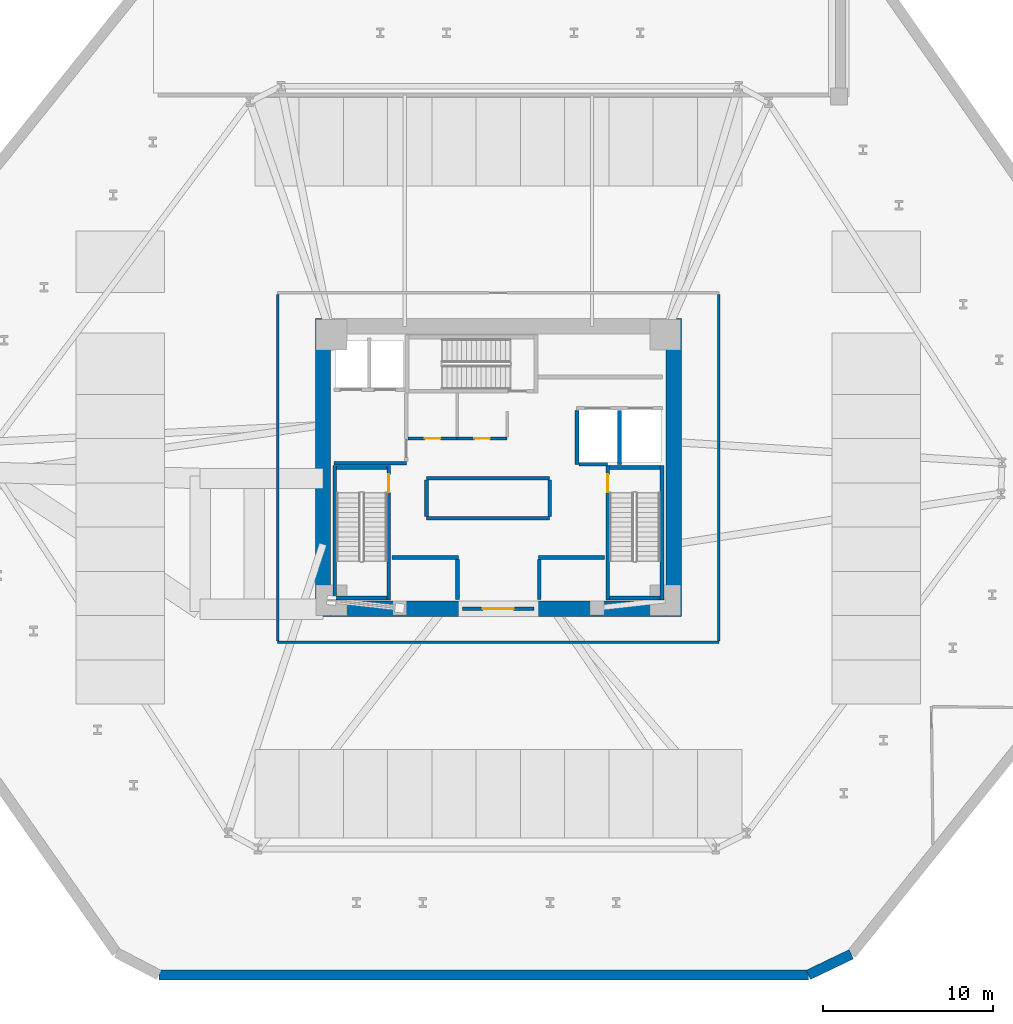
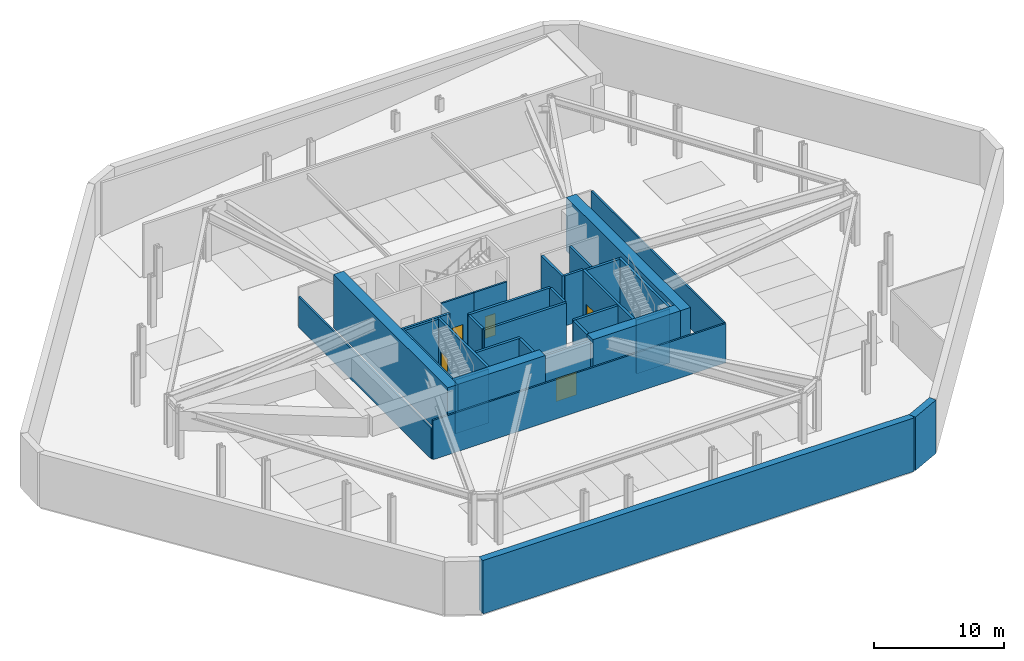
# One storey, part 4 of 8: 32 walls, 5 doors, 5 openings.
"""IFC4 building model written with IfcOpenShell, lengths in metres."""

from ifc_helpers import new_model, si_unit, direction, frame, frame_2d, origin, place, context, subcontext, project, spatial, rectangle, extrude, source, transform, mapped, material, layer, layer_set, type_object, type_shapes, element, fill, save


model = new_model("IFC4")

# Units and contexts
model_context = context("Model", 3, precision=1e-05, world=origin(), true_north=direction((0.0, 1.0)))
body_context = subcontext(model_context, "Body", "Model", "MODEL_VIEW")
ifc_project = project(units=[si_unit("LENGTHUNIT", "METRE"), si_unit("AREAUNIT", "SQUARE_METRE"), si_unit("VOLUMEUNIT", "CUBIC_METRE"), si_unit("PLANEANGLEUNIT", "RADIAN"), si_unit("MASSUNIT", "GRAM", prefix="KILO")], contexts=[model_context])

# Site, building, storey
site_placement = place(None, origin())
site = spatial("IfcSite", under=ifc_project, at=site_placement, CompositionType="ELEMENT")
building_placement = place(site_placement, origin())
building = spatial("IfcBuilding", under=site, at=building_placement, Name="Durnholm Broadcast Tower", CompositionType="ELEMENT")
storey_placement = place(building_placement, frame((0.0, 0.0, -5.0)))
storey = spatial("IfcBuildingStorey", under=building, at=storey_placement, Name="B01", CompositionType="ELEMENT", Elevation=-5.0)

# Walls
ifc_material_1 = material(Name="Concrete C70/85", Category="concrete")
ifc_layer_1 = layer(ifc_material_1, 0.89990234375)
ifc_layer_set_1 = layer_set([ifc_layer_1], Name="Concrete C70/85")
wall_type_1 = type_object("IfcWallType", Name="WALL-CW-900", PredefinedType="SHEAR", material=ifc_layer_set_1)
for number, where, z_axis, x_axis, name in (
    (1, (-10.300048828125, -8.75, 0.0), (0.0, 0.0, 1.0), (0.0, 1.0, 0.0), "B01 central core shear wall CW-WEST"),
    (2, (10.300048828125, -8.75, 0.0), (0.0, 0.0, 1.0), (0.0, 1.0, 0.0), "B01 central core shear wall CW-EAST"),
):
    element("IfcWall", number, at=place(storey_placement, frame(where, z_axis=z_axis, x_axis=x_axis)), inside=storey, type_object=wall_type_1, Name=name, PredefinedType="SHEAR", context=body_context, shape_type="SweptSolid", body=[
        extrude(rectangle(XDim=17.5, YDim=0.89990234375, at=frame_2d((8.75, 0.0))), origin(), (0.0, 0.0, 1.0), 5.0),
    ])
for number, where, z_axis, x_axis, name in (
    (3, (-9.85009765625, -8.300048828125, 0.0), (0.0, 0.0, 1.0), (1.0, 0.0, 0.0), "B01 central core shear wall CW-S1"),
    (4, (2.10009765625, -8.300048828125, 0.0), (0.0, 0.0, 1.0), (1.0, 0.0, 0.0), "B01 central core shear wall CW-S2"),
):
    element("IfcWall", number, at=place(storey_placement, frame(where, z_axis=z_axis, x_axis=x_axis)), inside=storey, type_object=wall_type_1, Name=name, PredefinedType="SHEAR", context=body_context, shape_type="SweptSolid", body=[
        extrude(rectangle(XDim=7.75, YDim=0.89990234375, at=frame_2d((3.875, 0.0))), origin(), (0.0, 0.0, 1.0), 5.0),
    ])

# Wall, opening, door
ifc_material_2 = material(Name="Fire-Rated Gypsum Shaftwall", Category="concrete")
ifc_layer_2 = layer(ifc_material_2, 0.199951171875)
ifc_layer_set_2 = layer_set([ifc_layer_2], Name="Fire-Rated Gypsum Shaftwall")
wall_type_2 = type_object("IfcWallType", Name="WALL-LOB-200", PredefinedType="SOLIDWALL", material=ifc_layer_set_2)
wall_1_placement = place(storey_placement, frame((-2.10009765625, -8.300048828125, 0.0), z_axis=(0.0, 0.0, 1.0), x_axis=(1.0, 0.0, 0.0)))
wall_1 = element("IfcWall", 5, at=wall_1_placement, inside=storey, type_object=wall_type_2, Name="B01 south core lobby fire screen", PredefinedType="SOLIDWALL", context=body_context, shape_type="SweptSolid", body=[
    extrude(rectangle(XDim=4.2001953125, YDim=0.199951171875, at=frame_2d((2.10009765625, 0.0))), origin(), (0.0, 0.0, 1.0), 4.68505859375),
])
opening_1_placement = place(wall_1_placement, frame((1.199951171875, 0.0, 0.0)))
opening_1 = element("IfcOpeningElement", 6, at=opening_1_placement, cuts=wall_1, Name="Opening DP-60", PredefinedType="OPENING", context=body_context, shape_type="SweptSolid", body=[
    extrude(rectangle(XDim=1.800048828125, YDim=2.14990234375, at=frame_2d((0.89990234375, 1.074951171875))), frame((0.0, 0.10986328125, 0.0), z_axis=(0.0, -1.0, 0.0), x_axis=(1.0, 0.0, 0.0)), (0.0, 0.0, 1.0), 0.219970703125),
])
ifc_material_3 = material(Name="Fire-Rated Double Corridor Door", Category="steel")
ifc_layer_3 = layer(ifc_material_3, 0.050048828125)
ifc_layer_set_3 = layer_set([ifc_layer_3], Name="Fire-Rated Double Corridor Door")
door_type_1 = type_object("IfcDoorType", Name="DOOR-PAIR-FD60", OperationType="DOUBLE_DOOR_SINGLE_SWING", PredefinedType="DOOR", material=ifc_layer_set_3)
shared_shape_1 = source(origin(), body_context, "Body", "SweptSolid", [
    extrude(rectangle(XDim=1.800048828125, YDim=2.14990234375, at=frame_2d((0.89990234375, 1.074951171875))), frame((0.0, 0.02490234375, 0.0), z_axis=(0.0, -1.0, 0.0), x_axis=(1.0, 0.0, 0.0)), (0.0, 0.0, 1.0), 0.050048828125),
])
type_shapes(door_type_1, [shared_shape_1])
door_1_placement = place(opening_1_placement, origin())
door_1 = element("IfcDoor", 7, at=door_1_placement, inside=storey, type_object=door_type_1, Name="B01 south core lobby double fire door", OperationType="DOUBLE_DOOR_SINGLE_SWING", OverallHeight=2.14990234375, OverallWidth=1.800048828125, PredefinedType="DOOR", context=body_context, shape_type="MappedRepresentation", body=[
    mapped(shared_shape_1, transform((0.0, 0.0, 0.0), x_axis=(1.0, 0.0, 0.0), y_axis=(0.0, 1.0, 0.0), z_axis=(0.0, 0.0, 1.0), scale=1.0)),
])
fill(opening_1, door_1)

# Wall
wall_2_placement = place(storey_placement, frame((-9.64990234375, 0.25, 0.0), z_axis=(0.0, 0.0, 1.0), x_axis=(1.0, 0.0, 0.0)))
element("IfcWall", 8, at=wall_2_placement, inside=storey, type_object=wall_type_2, Name="B01 Fire Service Access Elevator lobby south wall", PredefinedType="SOLIDWALL", context=body_context, shape_type="SweptSolid", body=[
    extrude(rectangle(XDim=4.27001953125, YDim=0.199951171875, at=frame_2d((2.135009765625, 0.0))), origin(), (0.0, 0.0, 1.0), 4.68505859375),
])

# Wall, opening, door
ifc_material_4 = material(Name="Acoustic Gypsum Stud Partition", Category="concrete")
ifc_layer_4 = layer(ifc_material_4, 0.14990234375)
ifc_layer_set_4 = layer_set([ifc_layer_4], Name="Acoustic Gypsum Stud Partition")
wall_type_3 = type_object("IfcWallType", Name="WALL-PART-150", PredefinedType="PARTITIONING", material=ifc_layer_set_4)
wall_3_placement = place(storey_placement, frame((-2.419921875, 1.7099609375, 0.0), z_axis=(0.0, 0.0, 1.0), x_axis=(-1.0, 0.0, 0.0)))
wall_3 = element("IfcWall", 9, at=wall_3_placement, inside=storey, type_object=wall_type_3, Name="B01 Core Equipment Store corridor partition", PredefinedType="PARTITIONING", context=body_context, shape_type="SweptSolid", body=[
    extrude(rectangle(XDim=2.8759765625, YDim=0.14990234375, at=frame_2d((1.43798828125, 0.0))), origin(), (0.0, 0.0, 1.0), 4.68505859375),
])
opening_2_placement = place(wall_3_placement, frame((0.988037109375, 0.0, 0.0)))
opening_2 = element("IfcOpeningElement", 10, at=opening_2_placement, cuts=wall_3, Name="Opening DC-60L", PredefinedType="OPENING", context=body_context, shape_type="SweptSolid", body=[
    extrude(rectangle(XDim=0.89990234375, YDim=2.050048828125, at=frame_2d((0.449951171875, 1.02490234375))), frame((0.0, 0.0849609375, 0.0), z_axis=(0.0, -1.0, 0.0), x_axis=(1.0, 0.0, 0.0)), (0.0, 0.0, 1.0), 0.169921875),
])
ifc_material_5 = material(Name="Fire-Rated Core Service Door", Category="steel")
ifc_layer_5 = layer(ifc_material_5, 0.050048828125)
ifc_layer_set_5 = layer_set([ifc_layer_5], Name="Fire-Rated Core Service Door")
door_type_2 = type_object("IfcDoorType", Name="DOOR-CORE-FD60-L", OperationType="NOTDEFINED", PredefinedType="DOOR", material=ifc_layer_set_5)
shared_shape_2 = source(origin(), body_context, "Body", "SweptSolid", [
    extrude(rectangle(XDim=0.89990234375, YDim=2.050048828125, at=frame_2d((0.449951171875, 1.02490234375))), frame((0.0, 0.02490234375, 0.0), z_axis=(0.0, -1.0, 0.0), x_axis=(1.0, 0.0, 0.0)), (0.0, 0.0, 1.0), 0.050048828125),
])
type_shapes(door_type_2, [shared_shape_2])
door_2_placement = place(opening_2_placement, origin())
door_2 = element("IfcDoor", 11, at=door_2_placement, inside=storey, type_object=door_type_2, Name="B01 Core Equipment Store entrance door", OperationType="SINGLE_SWING_LEFT", OverallHeight=2.050048828125, OverallWidth=0.89990234375, PredefinedType="DOOR", context=body_context, shape_type="MappedRepresentation", body=[
    mapped(shared_shape_2, transform((0.0, 0.0, 0.0), x_axis=(1.0, 0.0, 0.0), y_axis=(0.0, 1.0, 0.0), z_axis=(0.0, 0.0, 1.0), scale=1.0)),
])
fill(opening_2, door_2)

wall_4_placement = place(storey_placement, frame((0.52001953125, 1.7099609375, 0.0), z_axis=(0.0, 0.0, 1.0), x_axis=(-1.0, 0.0, 0.0)))
wall_4 = element("IfcWall", 12, at=wall_4_placement, inside=storey, type_object=wall_type_3, Name="B01 Core Mail and Supply Room corridor partition", PredefinedType="PARTITIONING", context=body_context, shape_type="SweptSolid", body=[
    extrude(rectangle(XDim=2.93994140625, YDim=0.14990234375, at=frame_2d((1.469970703125, 0.0))), origin(), (0.0, 0.0, 1.0), 4.68505859375),
])
opening_3_placement = place(wall_4_placement, frame((1.02001953125, 0.0, 0.0)))
opening_3 = element("IfcOpeningElement", 13, at=opening_3_placement, cuts=wall_4, Name="Opening DC-60R", PredefinedType="OPENING", context=body_context, shape_type="SweptSolid", body=[
    extrude(rectangle(XDim=0.89990234375, YDim=2.050048828125, at=frame_2d((0.449951171875, 1.02490234375))), frame((0.0, 0.0849609375, 0.0), z_axis=(0.0, -1.0, 0.0), x_axis=(1.0, 0.0, 0.0)), (0.0, 0.0, 1.0), 0.169921875),
])
ifc_layer_6 = layer(ifc_material_5, 0.050048828125)
ifc_layer_set_6 = layer_set([ifc_layer_6], Name="Fire-Rated Core Service Door")
door_type_3 = type_object("IfcDoorType", Name="DOOR-CORE-FD60-R", OperationType="NOTDEFINED", PredefinedType="DOOR", material=ifc_layer_set_6)
shared_shape_3 = source(origin(), body_context, "Body", "SweptSolid", [
    extrude(rectangle(XDim=0.89990234375, YDim=2.050048828125, at=frame_2d((0.449951171875, 1.02490234375))), frame((0.0, 0.02490234375, 0.0), z_axis=(0.0, -1.0, 0.0), x_axis=(1.0, 0.0, 0.0)), (0.0, 0.0, 1.0), 0.050048828125),
])
type_shapes(door_type_3, [shared_shape_3])
door_3_placement = place(opening_3_placement, origin())
door_3 = element("IfcDoor", 14, at=door_3_placement, inside=storey, type_object=door_type_3, Name="B01 Core Mail and Supply Room entrance door", OperationType="SINGLE_SWING_RIGHT", OverallHeight=2.050048828125, OverallWidth=0.89990234375, PredefinedType="DOOR", context=body_context, shape_type="MappedRepresentation", body=[
    mapped(shared_shape_3, transform((0.0, 0.0, 0.0), x_axis=(1.0, 0.0, 0.0), y_axis=(0.0, 1.0, 0.0), z_axis=(0.0, 0.0, 1.0), scale=1.0)),
])
fill(opening_3, door_3)

# Walls
wall_5_placement = place(storey_placement, frame((-12.9599609375, -10.260009765625, 0.0), z_axis=(0.0, 0.0, 1.0), x_axis=(1.0, 0.0, 0.0)))
element("IfcWall", 15, at=wall_5_placement, inside=storey, type_object=wall_type_3, Name="B01 Underground Broadcast Fleet Parking Garage corridor partition", PredefinedType="PARTITIONING", context=body_context, shape_type="SweptSolid", body=[
    extrude(rectangle(XDim=25.919921875, YDim=0.14990234375, at=frame_2d((12.9599609375, 0.0))), origin(), (0.0, 0.0, 1.0), 3.679443359375),
])
wall_6_placement = place(storey_placement, frame((-12.9599609375, 10.180908203125, 0.0), z_axis=(0.0, 0.0, 1.0), x_axis=(0.0, -1.0, 0.0)))
element("IfcWall", 16, at=wall_6_placement, inside=storey, type_object=wall_type_3, Name="B01 Underground Broadcast Fleet Parking Garage corridor partition", PredefinedType="PARTITIONING", context=body_context, shape_type="SweptSolid", body=[
    extrude(rectangle(XDim=20.36181640625, YDim=0.14990234375, at=frame_2d((10.180908203125, 0.0))), origin(), (0.0, 0.0, 1.0), 2.8701171875),
])
wall_7_placement = place(storey_placement, frame((12.9599609375, -10.180908203125, 0.0), z_axis=(0.0, 0.0, 1.0), x_axis=(0.0, 1.0, 0.0)))
element("IfcWall", 17, at=wall_7_placement, inside=storey, type_object=wall_type_3, Name="B01 Underground Broadcast Fleet Parking Garage corridor partition", PredefinedType="PARTITIONING", context=body_context, shape_type="SweptSolid", body=[
    extrude(rectangle(XDim=20.36181640625, YDim=0.14990234375, at=frame_2d((10.180908203125, 0.0))), origin(), (0.0, 0.0, 1.0), 3.679443359375),
])
ifc_material_6 = material(Name="Concrete C50/60", Category="concrete")
ifc_layer_7 = layer(ifc_material_6, 0.60009765625)
ifc_layer_set_7 = layer_set([ifc_layer_7], Name="Concrete C50/60")
wall_type_4 = type_object("IfcWallType", Name="WALL-RET-600", PredefinedType="USERDEFINED", material=ifc_layer_set_7)
wall_8_placement = place(storey_placement, frame((-19.9375, -29.800048828125, 0.0), z_axis=(0.0, 0.0, 1.0), x_axis=(1.0, 0.0, 0.0)))
element("IfcWall", 18, at=wall_8_placement, inside=storey, type_object=wall_type_4, Name="B01 perimeter retaining wall 2", ObjectType="RETAININGWALL", PredefinedType="USERDEFINED", context=body_context, shape_type="SweptSolid", body=[
    extrude(rectangle(XDim=38.149169921875, YDim=0.60009765625, at=frame_2d((19.07470703125, 0.0))), origin(), (0.0, 0.0, 1.0), 5.0),
])
wall_9_placement = place(storey_placement, frame((18.211669921875, -29.800048828125, 0.0), z_axis=(0.0, 0.0, 1.0), x_axis=(0.901732483037, 0.432294493415, 0.0)))
element("IfcWall", 19, at=wall_9_placement, inside=storey, type_object=wall_type_4, Name="B01 perimeter retaining wall 3", ObjectType="RETAININGWALL", PredefinedType="USERDEFINED", context=body_context, shape_type="SweptSolid", body=[
    extrude(rectangle(XDim=2.800048828125, YDim=0.60009765625, at=frame_2d((1.39990234375, 0.0))), origin(), (0.0, 0.0, 1.0), 5.0),
])
ifc_material_7 = material(Name="Concrete Blockwork C30/37", Category="masonry")
ifc_layer_8 = layer(ifc_material_7, 0.219970703125)
ifc_layer_set_8 = layer_set([ifc_layer_8], Name="Concrete Blockwork C30/37")
wall_type_5 = type_object("IfcWallType", Name="WALL-SHAFT-220", PredefinedType="SOLIDWALL", material=ifc_layer_set_8)
for number, where, z_axis, x_axis, name in (
    (20, (4.6201171875, 0.179931640625, 0.0), (0.0, 0.0, 1.0), (0.0, 1.0, 0.0), "B01 freight service lift SVL-2 west wall"),
    (21, (7.1201171875, 0.179931640625, 0.0), (0.0, 0.0, 1.0), (0.0, 1.0, 0.0), "B01 freight service lifts divider wall"),
):
    element("IfcWall", number, at=place(storey_placement, frame(where, z_axis=z_axis, x_axis=x_axis)), inside=storey, type_object=wall_type_5, Name=name, PredefinedType="SOLIDWALL", context=body_context, shape_type="SweptSolid", body=[
        extrude(rectangle(XDim=3.18603515625, YDim=0.219970703125, at=frame_2d((1.593017578125, 0.0))), origin(), (0.0, 0.0, 1.0), 4.68505859375),
    ])
wall_10_placement = place(storey_placement, frame((4.73388671875, 0.199951171875, 0.0), z_axis=(0.0, 0.0, 1.0), x_axis=(1.0, 0.0, 0.0)))
element("IfcWall", 22, at=wall_10_placement, inside=storey, type_object=wall_type_5, Name="B01 freight service lift SVL-2 south wall", PredefinedType="SOLIDWALL", context=body_context, shape_type="SweptSolid", body=[
    extrude(rectangle(XDim=1.666015625, YDim=0.219970703125, at=frame_2d((0.8330078125, 0.0))), origin(), (0.0, 0.0, 1.0), 4.68505859375),
])
for number, where, z_axis, x_axis, name in (
    (23, (-6.25, -5.280029296875, 0.0), (0.0, 0.0, 1.0), (1.0, 0.0, 0.0), "B01 low-rise bank P1 west front wall"),
    (24, (2.35009765625, -5.280029296875, 0.0), (0.0, 0.0, 1.0), (1.0, 0.0, 0.0), "B01 low-rise bank P1 east front wall"),
):
    element("IfcWall", number, at=place(storey_placement, frame(where, z_axis=z_axis, x_axis=x_axis)), inside=storey, type_object=wall_type_5, Name=name, PredefinedType="SOLIDWALL", context=body_context, shape_type="SweptSolid", body=[
        extrude(rectangle(XDim=3.89990234375, YDim=0.219970703125, at=frame_2d((1.949951171875, 0.0))), origin(), (0.0, 0.0, 1.0), 4.68505859375),
    ])
for number, where, z_axis, x_axis, name in (
    (25, (-2.39990234375, -7.75, 0.0), (0.0, 0.0, 1.0), (0.0, 1.0, 0.0), "B01 low-rise bank P1 west mouth wall"),
    (26, (2.39990234375, -7.75, 0.0), (0.0, 0.0, 1.0), (0.0, 1.0, 0.0), "B01 low-rise bank P1 east mouth wall"),
):
    element("IfcWall", number, at=place(storey_placement, frame(where, z_axis=z_axis, x_axis=x_axis)), inside=storey, type_object=wall_type_5, Name=name, PredefinedType="SOLIDWALL", context=body_context, shape_type="SweptSolid", body=[
        extrude(rectangle(XDim=2.35595703125, YDim=0.219970703125, at=frame_2d((1.177978515625, 0.0))), origin(), (0.0, 0.0, 1.0), 4.68505859375),
    ])
for number, where, z_axis, x_axis, name in (
    (27, (-4.219970703125, -2.97998046875, 0.0), (0.0, 0.0, 1.0), (1.0, 0.0, 0.0), "B01 mid-rise bank P2 south front wall"),
    (28, (-4.219970703125, -0.6201171875, 0.0), (0.0, 0.0, 1.0), (1.0, 0.0, 0.0), "B01 mid-rise bank P2 north shaft wall"),
):
    element("IfcWall", number, at=place(storey_placement, frame(where, z_axis=z_axis, x_axis=x_axis)), inside=storey, type_object=wall_type_5, Name=name, PredefinedType="SOLIDWALL", context=body_context, shape_type="SweptSolid", body=[
        extrude(rectangle(XDim=7.239990234375, YDim=0.219970703125, at=frame_2d((3.6201171875, 0.0))), origin(), (0.0, 0.0, 1.0), 4.68505859375),
    ])
for number, where, z_axis, x_axis, name in (
    (29, (-4.219970703125, -2.865966796875, 0.0), (0.0, 0.0, 1.0), (0.0, 1.0, 0.0), "B01 mid-rise bank P2 west shaft wall"),
    (30, (3.02001953125, -2.865966796875, 0.0), (0.0, 0.0, 1.0), (0.0, 1.0, 0.0), "B01 mid-rise bank P2 east shaft wall"),
):
    element("IfcWall", number, at=place(storey_placement, frame(where, z_axis=z_axis, x_axis=x_axis)), inside=storey, type_object=wall_type_5, Name=name, PredefinedType="SOLIDWALL", context=body_context, shape_type="SweptSolid", body=[
        extrude(rectangle(XDim=2.132080078125, YDim=0.219970703125, at=frame_2d((1.06591796875, 0.0))), origin(), (0.0, 0.0, 1.0), 4.68505859375),
    ])

# Wall, opening, door
ifc_layer_9 = layer(ifc_material_6, 0.219970703125)
ifc_layer_set_9 = layer_set([ifc_layer_9], Name="Concrete C50/60")
wall_type_6 = type_object("IfcWallType", Name="WALL-SW-220", PredefinedType="SHEAR", material=ifc_layer_set_9)
wall_11_placement = place(storey_placement, frame((-6.429931640625, -7.77001953125, -0.35009765625), z_axis=(0.0, 0.0, 1.0), x_axis=(0.0, 1.0, 0.0)))
wall_11 = element("IfcWall", 31, at=wall_11_placement, inside=storey, type_object=wall_type_6, Name="B01 stair ST-1 structural shaft wall E", PredefinedType="SHEAR", context=body_context, shape_type="SweptSolid", body=[
    extrude(rectangle(XDim=7.89013671875, YDim=0.219970703125, at=frame_2d((3.945068359375, 0.0))), origin(), (0.0, 0.0, 1.0), 5.050048828125),
])
opening_4_placement = place(wall_11_placement, frame((6.320068359375, 0.0, 0.0)))
opening_4 = element("IfcOpeningElement", 32, at=opening_4_placement, cuts=wall_11, Name="Opening DS-90L", PredefinedType="OPENING", context=body_context, shape_type="SweptSolid", body=[
    extrude(rectangle(XDim=1.050048828125, YDim=2.14990234375, at=frame_2d((0.52490234375, 1.074951171875))), frame((0.0, 0.1201171875, 0.0), z_axis=(0.0, -1.0, 0.0), x_axis=(1.0, 0.0, 0.0)), (0.0, 0.0, 1.0), 0.239990234375),
])
ifc_material_8 = material(Name="Fire-Rated Steel Door", Category="steel")
ifc_layer_10 = layer(ifc_material_8, 0.050048828125)
ifc_layer_set_10 = layer_set([ifc_layer_10], Name="Fire-Rated Steel Door")
door_type_4 = type_object("IfcDoorType", Name="DOOR-ST-FD90-L", OperationType="NOTDEFINED", PredefinedType="DOOR", material=ifc_layer_set_10)
shared_shape_4 = source(origin(), body_context, "Body", "SweptSolid", [
    extrude(rectangle(XDim=1.050048828125, YDim=2.14990234375, at=frame_2d((0.52490234375, 1.074951171875))), frame((0.0, 0.02490234375, 0.0), z_axis=(0.0, -1.0, 0.0), x_axis=(1.0, 0.0, 0.0)), (0.0, 0.0, 1.0), 0.050048828125),
])
type_shapes(door_type_4, [shared_shape_4])
door_4_placement = place(opening_4_placement, origin())
door_4 = element("IfcDoor", 33, at=door_4_placement, inside=storey, type_object=door_type_4, Name="B01 exit stair ST-1 fire door", OperationType="SINGLE_SWING_LEFT", OverallHeight=2.14990234375, OverallWidth=1.050048828125, PredefinedType="DOOR", context=body_context, shape_type="MappedRepresentation", body=[
    mapped(shared_shape_4, transform((0.0, 0.0, 0.0), x_axis=(1.0, 0.0, 0.0), y_axis=(0.0, 1.0, 0.0), z_axis=(0.0, 0.0, 1.0), scale=1.0)),
])
fill(opening_4, door_4)

# Walls
wall_12_placement = place(storey_placement, frame((-9.610107421875, 0.1201171875, -0.35009765625), z_axis=(0.0, 0.0, 1.0), x_axis=(0.0, -1.0, 0.0)))
element("IfcWall", 34, at=wall_12_placement, inside=storey, type_object=wall_type_6, Name="B01 stair ST-1 structural shaft wall W", PredefinedType="SHEAR", context=body_context, shape_type="SweptSolid", body=[
    extrude(rectangle(XDim=7.89013671875, YDim=0.219970703125, at=frame_2d((3.945068359375, 0.0))), origin(), (0.0, 0.0, 1.0), 5.050048828125),
])
for number, where, z_axis, x_axis, name in (
    (35, (-9.5, -7.659912109375, -0.35009765625), (0.0, 0.0, 1.0), (1.0, 0.0, 0.0), "B01 stair ST-1 structural shaft wall S"),
    (36, (-6.5400390625, 0.010009765625, -0.35009765625), (0.0, 0.0, 1.0), (-1.0, 0.0, 0.0), "B01 stair ST-1 structural shaft wall N"),
):
    element("IfcWall", number, at=place(storey_placement, frame(where, z_axis=z_axis, x_axis=x_axis)), inside=storey, type_object=wall_type_6, Name=name, PredefinedType="SHEAR", context=body_context, shape_type="SweptSolid", body=[
        extrude(rectangle(XDim=2.9599609375, YDim=0.219970703125, at=frame_2d((1.47998046875, 0.0))), origin(), (0.0, 0.0, 1.0), 5.050048828125),
    ])
wall_13_placement = place(storey_placement, frame((9.610107421875, -7.77001953125, -0.35009765625), z_axis=(0.0, 0.0, 1.0), x_axis=(0.0, 1.0, 0.0)))
element("IfcWall", 37, at=wall_13_placement, inside=storey, type_object=wall_type_6, Name="B01 stair ST-2 structural shaft wall E", PredefinedType="SHEAR", context=body_context, shape_type="SweptSolid", body=[
    extrude(rectangle(XDim=7.89013671875, YDim=0.219970703125, at=frame_2d((3.945068359375, 0.0))), origin(), (0.0, 0.0, 1.0), 5.050048828125),
])

# Wall, opening, door
wall_14_placement = place(storey_placement, frame((6.429931640625, 0.1201171875, -0.35009765625), z_axis=(0.0, 0.0, 1.0), x_axis=(0.0, -1.0, 0.0)))
wall_14 = element("IfcWall", 38, at=wall_14_placement, inside=storey, type_object=wall_type_6, Name="B01 stair ST-2 structural shaft wall W", PredefinedType="SHEAR", context=body_context, shape_type="SweptSolid", body=[
    extrude(rectangle(XDim=7.89013671875, YDim=0.219970703125, at=frame_2d((3.945068359375, 0.0))), origin(), (0.0, 0.0, 1.0), 5.050048828125),
])
opening_5_placement = place(wall_14_placement, frame((0.52001953125, 0.0, 0.0)))
opening_5 = element("IfcOpeningElement", 39, at=opening_5_placement, cuts=wall_14, Name="Opening DS-90R", PredefinedType="OPENING", context=body_context, shape_type="SweptSolid", body=[
    extrude(rectangle(XDim=1.050048828125, YDim=2.14990234375, at=frame_2d((0.52490234375, 1.074951171875))), frame((0.0, 0.1201171875, 0.0), z_axis=(0.0, -1.0, 0.0), x_axis=(1.0, 0.0, 0.0)), (0.0, 0.0, 1.0), 0.239990234375),
])
ifc_layer_11 = layer(ifc_material_8, 0.050048828125)
ifc_layer_set_11 = layer_set([ifc_layer_11], Name="Fire-Rated Steel Door")
door_type_5 = type_object("IfcDoorType", Name="DOOR-ST-FD90-R", OperationType="NOTDEFINED", PredefinedType="DOOR", material=ifc_layer_set_11)
shared_shape_5 = source(origin(), body_context, "Body", "SweptSolid", [
    extrude(rectangle(XDim=1.050048828125, YDim=2.14990234375, at=frame_2d((0.52490234375, 1.074951171875))), frame((0.0, 0.02490234375, 0.0), z_axis=(0.0, -1.0, 0.0), x_axis=(1.0, 0.0, 0.0)), (0.0, 0.0, 1.0), 0.050048828125),
])
type_shapes(door_type_5, [shared_shape_5])
door_5_placement = place(opening_5_placement, origin())
door_5 = element("IfcDoor", 40, at=door_5_placement, inside=storey, type_object=door_type_5, Name="B01 exit stair ST-2 fire door", OperationType="SINGLE_SWING_RIGHT", OverallHeight=2.14990234375, OverallWidth=1.050048828125, PredefinedType="DOOR", context=body_context, shape_type="MappedRepresentation", body=[
    mapped(shared_shape_5, transform((0.0, 0.0, 0.0), x_axis=(1.0, 0.0, 0.0), y_axis=(0.0, 1.0, 0.0), z_axis=(0.0, 0.0, 1.0), scale=1.0)),
])
fill(opening_5, door_5)

# Walls
for number, where, z_axis, x_axis, name in (
    (41, (6.5400390625, -7.659912109375, -0.35009765625), (0.0, 0.0, 1.0), (1.0, 0.0, 0.0), "B01 stair ST-2 structural shaft wall S"),
    (42, (9.5, 0.010009765625, -0.35009765625), (0.0, 0.0, 1.0), (-1.0, 0.0, 0.0), "B01 stair ST-2 structural shaft wall N"),
):
    element("IfcWall", number, at=place(storey_placement, frame(where, z_axis=z_axis, x_axis=x_axis)), inside=storey, type_object=wall_type_6, Name=name, PredefinedType="SHEAR", context=body_context, shape_type="SweptSolid", body=[
        extrude(rectangle(XDim=2.9599609375, YDim=0.219970703125, at=frame_2d((1.47998046875, 0.0))), origin(), (0.0, 0.0, 1.0), 5.050048828125),
    ])

save(model, "model.ifc")
